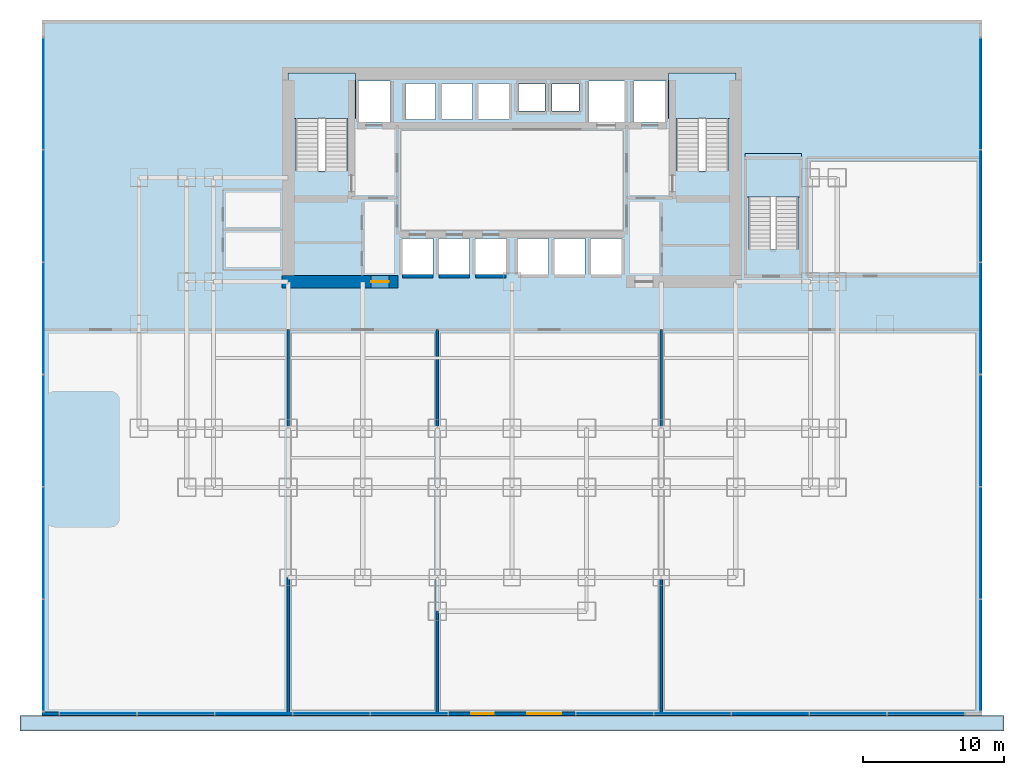
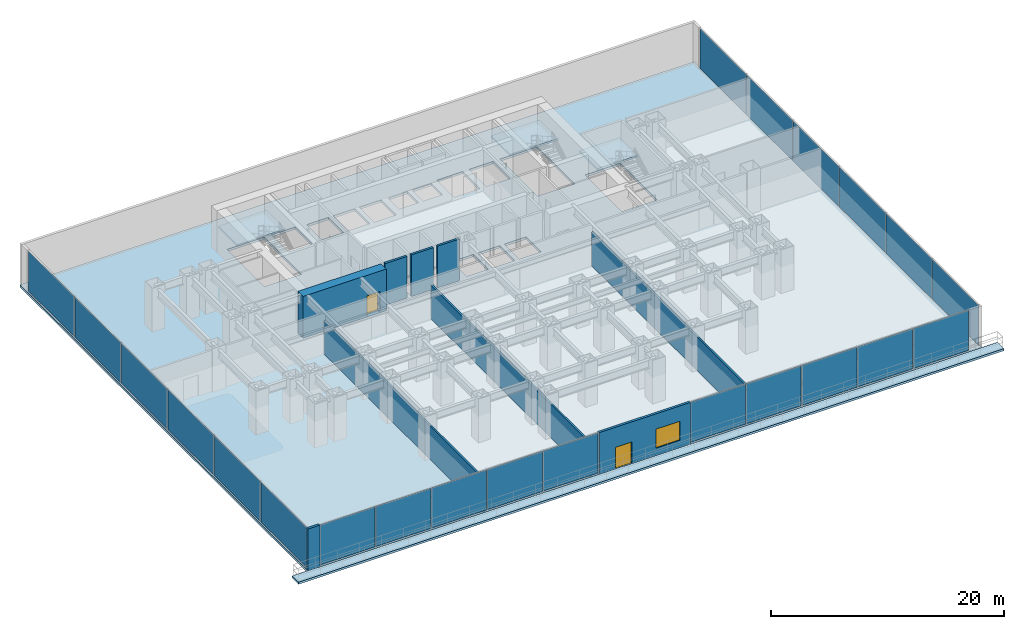
# One storey, part 8 of 13: 22 plates, 9 walls, 5 slabs, 2 doors, 1 window, 3 openings, 7 elements without a shape of their own.
"""IFC4 building model written with IfcOpenShell, lengths in metres."""

import ifcopenshell
import ifcopenshell.guid

model = None  # the IFC model being written
_history = None  # IfcOwnerHistory: only IFC2X3 demands one
_inside = {}  # id of a spatial element -> (the spatial element, [elements in it])
_under = {}  # id of a project, library or spatial element -> (it, [spatial elements below it])
_declared = {}  # id of a project -> (the project, [libraries it declares])
_typed = {}  # id of a type object -> (the type object, [elements of that type])
_made_of = {}  # id of a material, layer set ... -> (it, [elements and type objects made of it])


def new_model(schema):
    """Start an empty IFC model of exactly this schema.

    Asked for "IFC4X3", IfcOpenShell would pick the latest addendum, in which some entities
    have other attributes; the version numbers below select the first issue.
    IFC2X3 requires an IfcOwnerHistory on every rooted entity: one is made here for all.
    """
    global model, _history
    if schema == "IFC4X3":
        model = ifcopenshell.file(schema_version=(4, 3, 0, 0))
    else:
        model = ifcopenshell.file(schema=schema)
    _inside.clear()
    _under.clear()
    _declared.clear()
    _typed.clear()
    _made_of.clear()
    _history = None
    if model.schema == "IFC2X3":
        org = make("IfcOrganization", Name="unknown")
        user = make(
            "IfcPersonAndOrganization",
            ThePerson=make("IfcPerson", FamilyName="unknown"),
            TheOrganization=org,
        )
        app = make(
            "IfcApplication",
            ApplicationDeveloper=org,
            Version="unknown",
            ApplicationFullName="unknown",
            ApplicationIdentifier="unknown",
        )
        _history = make(
            "IfcOwnerHistory",
            OwningUser=user,
            OwningApplication=app,
            ChangeAction="ADDED",
            CreationDate=0,
        )
    return model


def make(cls, **values):
    """One entity of the class cls with the attributes given. An attribute that is None is left unset."""
    return model.create_entity(
        cls, **{name: value for name, value in values.items() if value is not None}
    )


def rooted(cls, **values):
    """An entity with a GlobalId (a new one), such as an element, a storey or a relation."""
    return make(cls, GlobalId=ifcopenshell.guid.new(), OwnerHistory=_history, **values)


def si_unit(unit_type, name, prefix=None):
    """IfcSIUnit, for example si_unit("LENGTHUNIT", "METRE", prefix="MILLI")."""
    return make("IfcSIUnit", UnitType=unit_type, Prefix=prefix, Name=name)


def assignment(units):
    """IfcUnitAssignment: the units of a project."""
    return None if units is None else make("IfcUnitAssignment", Units=units)


def point(xyz):
    """IfcCartesianPoint."""
    return None if xyz is None else make("IfcCartesianPoint", Coordinates=xyz)


def direction(xyz):
    """IfcDirection."""
    return None if xyz is None else make("IfcDirection", DirectionRatios=xyz)


def frame(location, z_axis=None, x_axis=None):
    """IfcAxis2Placement3D, a coordinate frame: its origin and axes. An axis left out is left unset."""
    return make(
        "IfcAxis2Placement3D",
        Location=point(location),
        Axis=direction(z_axis),
        RefDirection=direction(x_axis),
    )


def frame_2d(location, x_axis=None):
    """IfcAxis2Placement2D, a coordinate frame in the plane: its origin and x axis."""
    return make(
        "IfcAxis2Placement2D", Location=point(location), RefDirection=direction(x_axis)
    )


def origin():
    """The frame at (0, 0, 0) with its axes left unset."""
    return frame((0.0, 0.0, 0.0))


def origin_2d():
    """The frame at (0, 0) in the plane with its x axis left unset."""
    return frame_2d((0.0, 0.0))


def place(relative_to, where):
    """IfcLocalPlacement: puts the frame where relative to a parent placement (None: the world)."""
    return make(
        "IfcLocalPlacement", PlacementRelTo=relative_to, RelativePlacement=where
    )


def context(
    kind, dimensions, precision=None, world=None, true_north=None, identifier=None
):
    """IfcGeometricRepresentationContext, for example the 3D "Model" context."""
    return make(
        "IfcGeometricRepresentationContext",
        ContextIdentifier=identifier,
        ContextType=kind,
        CoordinateSpaceDimension=dimensions,
        Precision=precision,
        WorldCoordinateSystem=world,
        TrueNorth=true_north,
    )


def subcontext(parent, identifier, kind, view, scale=None):
    """IfcGeometricRepresentationSubContext, for example "Body" below "Model"."""
    return make(
        "IfcGeometricRepresentationSubContext",
        ContextIdentifier=identifier,
        ContextType=kind,
        ParentContext=parent,
        TargetScale=scale,
        TargetView=view,
    )


def project(units=None, contexts=None):
    """IfcProject with its units and contexts."""
    return rooted(
        "IfcProject",
        Name="project",
        RepresentationContexts=contexts,
        UnitsInContext=assignment(units),
    )


def spatial(cls, under=None, at=None, **own):
    """A site, building, storey or space (cls), placed at a placement, below another one or the project."""
    s = rooted(cls, ObjectPlacement=at, **own)
    if under is not None:
        _under.setdefault(under.id(), (under, []))[1].append(s)
    return s


def polyline(points):
    """IfcPolyline through the points."""
    return make("IfcPolyline", Points=[point(p) for p in points])


def profile(cls, at=None, kind="AREA", **sizes):
    """A parametric profile (cls). Its sizes go by their IFC names, for example OverallWidth=200.0."""
    return make(cls, ProfileType=kind, Position=at, **sizes)


def rectangle(**sizes):
    """IfcRectangleProfileDef."""
    return profile("IfcRectangleProfileDef", **sizes)


def outline(outer, holes=None, kind="AREA"):
    """IfcArbitraryClosedProfileDef: a profile drawn as a closed curve; with holes, ...WithVoids."""
    if holes is None:
        return make("IfcArbitraryClosedProfileDef", ProfileType=kind, OuterCurve=outer)
    return make(
        "IfcArbitraryProfileDefWithVoids",
        ProfileType=kind,
        OuterCurve=outer,
        InnerCurves=holes,
    )


def extrude(swept, where, along, depth):
    """IfcExtrudedAreaSolid: the profile swept, set in the frame where, extruded along a direction by depth."""
    return make(
        "IfcExtrudedAreaSolid",
        SweptArea=swept,
        Position=where,
        ExtrudedDirection=direction(along),
        Depth=depth,
    )


def shape(context_of_items, identifier, shape_type, items):
    """IfcShapeRepresentation: the items that make up one representation, for example the "Body"."""
    return make(
        "IfcShapeRepresentation",
        ContextOfItems=context_of_items,
        RepresentationIdentifier=identifier,
        RepresentationType=shape_type,
        Items=items,
    )


def source(mapping_origin, context_of_items, identifier, shape_type, items):
    """IfcRepresentationMap: a shape defined once, which mapped items show again and again."""
    return make(
        "IfcRepresentationMap",
        MappingOrigin=mapping_origin,
        MappedRepresentation=shape(context_of_items, identifier, shape_type, items),
    )


def transform(
    local_origin,
    x_axis=None,
    y_axis=None,
    z_axis=None,
    scale=None,
    scale2=None,
    scale3=None,
    uniform=True,
):
    """IfcCartesianTransformationOperator3D, or its non-uniform kind. x_axis, y_axis, z_axis: its Axis1, 2, 3."""
    if uniform:
        return make(
            "IfcCartesianTransformationOperator3D",
            Axis1=direction(x_axis),
            Axis2=direction(y_axis),
            LocalOrigin=point(local_origin),
            Scale=scale,
            Axis3=direction(z_axis),
        )
    return make(
        "IfcCartesianTransformationOperator3DnonUniform",
        Axis1=direction(x_axis),
        Axis2=direction(y_axis),
        LocalOrigin=point(local_origin),
        Scale=scale,
        Axis3=direction(z_axis),
        Scale2=scale2,
        Scale3=scale3,
    )


def mapped(mapping_source, mapping_target):
    """IfcMappedItem: shows the shape of a source again, moved by a transform."""
    return make(
        "IfcMappedItem", MappingSource=mapping_source, MappingTarget=mapping_target
    )


def material(Name=None, Category=None):
    """IfcMaterial."""
    return make("IfcMaterial", Name=Name, Category=Category)


def layer(
    of_material, thickness, ventilated=None, Name=None, Category=None, Priority=None
):
    """IfcMaterialLayer: one layer of a wall or slab, of a material (None: an air gap)."""
    return make(
        "IfcMaterialLayer",
        Material=of_material,
        LayerThickness=thickness,
        IsVentilated=ventilated,
        Name=Name,
        Category=Category,
        Priority=Priority,
    )


def layer_set(layers, Name=None):
    """IfcMaterialLayerSet."""
    return make("IfcMaterialLayerSet", MaterialLayers=layers, LayerSetName=Name)


def made_of(thing, what):
    """Note that an element or type object is made of a material, layer set ...; save() writes the relation."""
    if what is not None:
        _made_of.setdefault(what.id(), (what, []))[1].append(thing)
    return thing


def type_object(cls, material=None, **own):
    """A type object (cls), such as IfcWallType, which elements share."""
    return made_of(rooted(cls, **own), material)


def element(
    cls,
    number,
    at=None,
    inside=None,
    cuts=None,
    type_object=None,
    material=None,
    context=None,
    identifier="Body",
    shape_type=None,
    held_by="IfcProductDefinitionShape",
    body=None,
    shapes=None,
    **own,
):
    """One element of the class cls, such as IfcWall. Its Tag is "e" and its number.

    at: its placement. inside: the storey or other place that contains it. cuts: it is an
    opening in that element (IfcRelVoidsElement). A single representation is given by context,
    identifier, shape_type and body (its items); several are given by shapes. held_by: the class
    of the entity that holds the representations. save() writes the other relations.
    """
    e = rooted(cls, Tag="e%d" % number, ObjectPlacement=at, **own)
    if body is not None:
        shapes = [shape(context, identifier, shape_type, body)]
    if shapes is not None:
        e.Representation = make(held_by, Representations=shapes)
    if inside is not None:
        _inside.setdefault(inside.id(), (inside, []))[1].append(e)
    if cuts is not None:
        rooted(
            "IfcRelVoidsElement", RelatingBuildingElement=cuts, RelatedOpeningElement=e
        )
    if type_object is not None:
        _typed.setdefault(type_object.id(), (type_object, []))[1].append(e)
    return made_of(e, material)


def fill(opening, filler):
    """IfcRelFillsElement: the door or window that sits in an opening."""
    return rooted(
        "IfcRelFillsElement",
        RelatingOpeningElement=opening,
        RelatedBuildingElement=filler,
    )


def aggregate(whole, parts):
    """IfcRelAggregates: a whole, such as a stair, and the parts it consists of."""
    return rooted("IfcRelAggregates", RelatingObject=whole, RelatedObjects=parts)


def save(model, path):
    """Write the relations noted so far, then the file.

    IfcRelAggregates (storeys below a building ...), IfcRelContainedInSpatialStructure (elements
    in a storey), IfcRelDefinesByType, IfcRelAssociatesMaterial and IfcRelDeclares: one each for
    every whole, place, type object, material and project.
    """
    for whole, parts in _under.values():
        aggregate(whole, parts)
    for where, things in _inside.values():
        rooted(
            "IfcRelContainedInSpatialStructure",
            RelatedElements=things,
            RelatingStructure=where,
        )
    for kind, things in _typed.values():
        rooted("IfcRelDefinesByType", RelatedObjects=things, RelatingType=kind)
    for what, things in _made_of.values():
        rooted("IfcRelAssociatesMaterial", RelatedObjects=things, RelatingMaterial=what)
    for by, libraries in _declared.values():
        rooted("IfcRelDeclares", RelatingContext=by, RelatedDefinitions=libraries)
    model.write(path)


model = new_model("IFC4")

# Units and contexts
model_context = context("Model", 3, precision=1e-05, world=origin(), true_north=direction((0.0, 1.0)))
body_context = subcontext(model_context, "Body", "Model", "MODEL_VIEW")
ifc_project = project(units=[si_unit("LENGTHUNIT", "METRE"), si_unit("AREAUNIT", "SQUARE_METRE"), si_unit("VOLUMEUNIT", "CUBIC_METRE"), si_unit("PLANEANGLEUNIT", "RADIAN"), si_unit("MASSUNIT", "GRAM", prefix="KILO")], contexts=[model_context])

# Site, building, storey
site_placement = place(None, origin())
site = spatial("IfcSite", under=ifc_project, at=site_placement, CompositionType="ELEMENT")
building_placement = place(site_placement, origin())
building = spatial("IfcBuilding", under=site, at=building_placement, Name="Qianlan Lanfeng Residences", CompositionType="ELEMENT")
storey_placement = place(building_placement, frame((0.0, 0.0, 9.800048828125)))
storey = spatial("IfcBuildingStorey", under=building, at=storey_placement, Name="L02", CompositionType="ELEMENT", Elevation=9.800048828125)

# Slab
ifc_material_1 = material(Name="Concrete C49", Category="concrete")
ifc_layer_1 = layer(ifc_material_1, 0.25)
ifc_layer_set_1 = layer_set([ifc_layer_1], Name="Concrete C49")
slab_type_1 = type_object("IfcSlabType", Name="S-FL-250", PredefinedType="FLOOR", material=ifc_layer_set_1)
slab_1_placement = place(storey_placement, frame((0.0, 0.0, -0.25)))
element("IfcSlab", 1, at=slab_1_placement, inside=storey, type_object=slab_type_1, Name="L02 Structural Floor Slab", PredefinedType="FLOOR", context=body_context, shape_type="SweptSolid", body=[
    extrude(outline(polyline([(-6.89990234375, -5.60009765625), (59.89990234375, -5.60009765625), (59.89990234375, 43.800048828125), (-6.89990234375, 43.800048828125), (-6.89990234375, -5.60009765625)]), holes=[polyline([(11.139892578125, 33.080078125), (11.139892578125, 39.5), (14.820068359375, 39.5), (14.820068359375, 33.080078125), (11.139892578125, 33.080078125)]), polyline([(38.179931640625, 33.080078125), (38.179931640625, 39.5), (41.860107421875, 39.5), (41.860107421875, 33.080078125), (38.179931640625, 33.080078125)]), polyline([(43.320068359375, 27.47998046875), (43.320068359375, 33.780029296875), (46.800048828125, 33.780029296875), (46.800048828125, 27.47998046875), (43.320068359375, 27.47998046875)]), polyline([(15.52001953125, 36.52001953125), (15.52001953125, 39.47998046875), (17.8798828125, 39.47998046875), (17.8798828125, 36.52001953125), (15.52001953125, 36.52001953125)]), polyline([(35.1201171875, 36.52001953125), (35.1201171875, 39.47998046875), (37.47998046875, 39.47998046875), (37.47998046875, 36.52001953125), (35.1201171875, 36.52001953125)]), polyline([(31.919921875, 36.52001953125), (31.919921875, 39.47998046875), (34.47998046875, 39.47998046875), (34.47998046875, 36.52001953125), (31.919921875, 36.52001953125)]), polyline([(18.719970703125, 25.719970703125), (18.719970703125, 28.280029296875), (20.8798828125, 28.280029296875), (20.8798828125, 25.719970703125), (18.719970703125, 25.719970703125)]), polyline([(21.320068359375, 25.719970703125), (21.320068359375, 28.280029296875), (23.47998046875, 28.280029296875), (23.47998046875, 25.719970703125), (21.320068359375, 25.719970703125)]), polyline([(23.919921875, 25.719970703125), (23.919921875, 28.280029296875), (26.080078125, 28.280029296875), (26.080078125, 25.719970703125), (23.919921875, 25.719970703125)]), polyline([(26.919921875, 25.719970703125), (26.919921875, 28.280029296875), (29.080078125, 28.280029296875), (29.080078125, 25.719970703125), (26.919921875, 25.719970703125)]), polyline([(29.52001953125, 25.719970703125), (29.52001953125, 28.280029296875), (31.679931640625, 28.280029296875), (31.679931640625, 25.719970703125), (29.52001953125, 25.719970703125)]), polyline([(32.1201171875, 25.719970703125), (32.1201171875, 28.280029296875), (34.280029296875, 28.280029296875), (34.280029296875, 25.719970703125), (32.1201171875, 25.719970703125)]), polyline([(18.919921875, 36.719970703125), (18.919921875, 39.280029296875), (21.080078125, 39.280029296875), (21.080078125, 36.719970703125), (18.919921875, 36.719970703125)]), polyline([(21.52001953125, 36.719970703125), (21.52001953125, 39.280029296875), (23.679931640625, 39.280029296875), (23.679931640625, 36.719970703125), (21.52001953125, 36.719970703125)]), polyline([(24.1201171875, 36.719970703125), (24.1201171875, 39.280029296875), (26.280029296875, 39.280029296875), (26.280029296875, 36.719970703125), (24.1201171875, 36.719970703125)]), polyline([(26.949951171875, 37.35009765625), (26.949951171875, 39.25), (28.85009765625, 39.25), (28.85009765625, 37.35009765625), (26.949951171875, 37.35009765625)]), polyline([(29.35009765625, 37.35009765625), (29.35009765625, 39.25), (31.25, 39.25), (31.25, 37.35009765625), (29.35009765625, 37.35009765625)])]), origin(), (0.0, 0.0, 1.0), 0.25),
])

# Stair, slab
ifc_material_2 = material(Name="Concrete C42", Category="concrete")
stair_type_1 = type_object("IfcStairType", Name="STR-MAIN", PredefinedType="HALF_TURN_STAIR", material=ifc_material_2)
stair_1_placement = place(storey_placement, origin())
stair_1 = element("IfcStair", 2, at=stair_1_placement, inside=storey, type_object=stair_type_1, Name="L02 Exit Stair ST-1", PredefinedType="HALF_TURN_STAIR")
ifc_layer_2 = layer(ifc_material_2, 0.179931640625)
ifc_layer_set_2 = layer_set([ifc_layer_2], Name="Concrete C42")
slab_type_2 = type_object("IfcSlabType", Name="S-LND-180", PredefinedType="LANDING", material=ifc_layer_set_2)
slab_2_placement = place(storey_placement, frame((0.0, 0.0, 2.099853515625)))
slab_2 = element("IfcSlab", 3, at=slab_2_placement, type_object=slab_type_2, Name="ST-1 landing 1", PredefinedType="LANDING", context=body_context, shape_type="SweptSolid", body=[
    extrude(outline(polyline([(10.580078125, 36.820068359375), (15.3798828125, 36.820068359375), (15.3798828125, 40.050048828125), (10.580078125, 40.050048828125), (10.580078125, 36.820068359375)])), origin(), (0.0, 0.0, 1.0), 0.2001953125),
])
aggregate(stair_1, [slab_2])

stair_2_placement = place(storey_placement, origin())
stair_2 = element("IfcStair", 4, at=stair_2_placement, inside=storey, type_object=stair_type_1, Name="L02 Exit Stair ST-2", PredefinedType="HALF_TURN_STAIR")
slab_3_placement = place(storey_placement, frame((0.0, 0.0, 2.099853515625)))
slab_3 = element("IfcSlab", 5, at=slab_3_placement, type_object=slab_type_2, Name="ST-2 landing 1", PredefinedType="LANDING", context=body_context, shape_type="SweptSolid", body=[
    extrude(outline(polyline([(37.6201171875, 36.820068359375), (42.419921875, 36.820068359375), (42.419921875, 40.050048828125), (37.6201171875, 40.050048828125), (37.6201171875, 36.820068359375)])), origin(), (0.0, 0.0, 1.0), 0.2001953125),
])
aggregate(stair_2, [slab_3])

stair_type_2 = type_object("IfcStairType", Name="STR-POD", PredefinedType="HALF_TURN_STAIR", material=ifc_material_2)
stair_3_placement = place(storey_placement, origin())
stair_3 = element("IfcStair", 6, at=stair_3_placement, inside=storey, type_object=stair_type_2, Name="L02 Exit Stair ST-P1", PredefinedType="HALF_TURN_STAIR")
slab_4_placement = place(storey_placement, frame((0.0, 0.0, 2.099853515625)))
slab_4 = element("IfcSlab", 7, at=slab_4_placement, type_object=slab_type_2, Name="ST-P1 landing 1", PredefinedType="LANDING", context=body_context, shape_type="SweptSolid", body=[
    extrude(outline(polyline([(43.06005859375, 31.219970703125), (47.06005859375, 31.219970703125), (47.06005859375, 34.330078125), (43.06005859375, 34.330078125), (43.06005859375, 31.219970703125)])), origin(), (0.0, 0.0, 1.0), 0.2001953125),
])
aggregate(stair_3, [slab_4])

# Slab
ifc_layer_3 = layer(ifc_material_2, 0.219970703125)
ifc_layer_set_3 = layer_set([ifc_layer_3], Name="Concrete C42")
slab_type_3 = type_object("IfcSlabType", Name="S-TER-220", PredefinedType="FLOOR", material=ifc_layer_set_3)
slab_5_placement = place(storey_placement, frame((0.0, 0.0, -0.219970703125)))
element("IfcSlab", 8, at=slab_5_placement, inside=storey, type_object=slab_type_3, Name="L02 Planted Podium Terrace Slab", PredefinedType="FLOOR", context=body_context, shape_type="SweptSolid", body=[
    extrude(outline(polyline([(59.89990234375, -5.60009765625), (-6.89990234375, -5.60009765625), (-8.449951171875, -5.60009765625), (-8.449951171875, -6.699951171875), (61.449951171875, -6.699951171875), (61.449951171875, -5.60009765625), (59.89990234375, -5.60009765625)])), origin(), (0.0, 0.0, 1.0), 0.219970703125),
])

# Curtain wall, plates
ifc_material_3 = material(Name="Anodised Bronze Aluminium 6063-T6", Category="aluminium")
ifc_layer_4 = layer(ifc_material_3, 0.219970703125)
ifc_layer_set_4 = layer_set([ifc_layer_4], Name="Anodised Bronze Aluminium 6063-T6")
curtain_wall_type = type_object("IfcCurtainWallType", Name="CW-01", PredefinedType="NOTDEFINED", material=ifc_layer_set_4)
curtain_wall_1_placement = place(storey_placement, origin())
curtain_wall_1 = element("IfcCurtainWall", 9, at=curtain_wall_1_placement, inside=storey, type_object=curtain_wall_type, Name="L02 Unitised Curtain Wall CWR-L02-SW (CW-01)", PredefinedType="NOTDEFINED")
ifc_material_4 = material(Name="Clear Low-E Insulated Glass", Category="glass")
ifc_layer_5 = layer(ifc_material_4, 0.035888671875)
ifc_layer_set_5 = layer_set([ifc_layer_5], Name="Clear Low-E Insulated Glass")
plate_type_1 = type_object("IfcPlateType", Name="PNL-GLZ-CLR", PredefinedType="CURTAIN_PANEL", material=ifc_layer_set_5)
shared_shape_1 = source(origin(), body_context, "Body", "SweptSolid", [
    extrude(rectangle(XDim=5.446044921875, YDim=0.035888671875, at=origin_2d()), origin(), (0.0, 0.0, 1.0), 4.19189453125),
])
plate_1_placement = place(storey_placement, frame((-2.89794921875, -5.47998046875, 0.0791015625), z_axis=(0.0, 0.0, 1.0), x_axis=(1.0, 0.0, 0.0)))
plate_1 = element("IfcPlate", 10, at=plate_1_placement, type_object=plate_type_1, Name="CWR-L02-SW Curtain Panel 1", PredefinedType="CURTAIN_PANEL", context=body_context, shape_type="MappedRepresentation", body=[
    mapped(shared_shape_1, transform((0.0, 0.0, 0.0), scale=1.0)),
])
plate_2_placement = place(storey_placement, frame((2.6259765625, -5.47998046875, 0.0791015625), z_axis=(0.0, 0.0, 1.0), x_axis=(1.0, 0.0, 0.0)))
plate_2 = element("IfcPlate", 11, at=plate_2_placement, type_object=plate_type_1, Name="CWR-L02-SW Curtain Panel 2", PredefinedType="CURTAIN_PANEL", context=body_context, shape_type="MappedRepresentation", body=[
    mapped(shared_shape_1, transform((0.0, 0.0, 0.0), scale=1.0)),
])
plate_3_placement = place(storey_placement, frame((13.674072265625, -5.47998046875, 0.0791015625), z_axis=(0.0, 0.0, 1.0), x_axis=(1.0, 0.0, 0.0)))
plate_3 = element("IfcPlate", 12, at=plate_3_placement, type_object=plate_type_1, Name="CWR-L02-SW Curtain Panel 4", PredefinedType="CURTAIN_PANEL", context=body_context, shape_type="MappedRepresentation", body=[
    mapped(shared_shape_1, transform((0.0, 0.0, 0.0), scale=1.0)),
])
plate_4_placement = place(storey_placement, frame((19.197998046875, -5.47998046875, 0.0791015625), z_axis=(0.0, 0.0, 1.0), x_axis=(1.0, 0.0, 0.0)))
plate_4 = element("IfcPlate", 13, at=plate_4_placement, type_object=plate_type_1, Name="CWR-L02-SW Curtain Panel 5", PredefinedType="CURTAIN_PANEL", context=body_context, shape_type="MappedRepresentation", body=[
    mapped(shared_shape_1, transform((0.0, 0.0, 0.0), scale=1.0)),
])

curtain_wall_2_placement = place(storey_placement, origin())
curtain_wall_2 = element("IfcCurtainWall", 14, at=curtain_wall_2_placement, inside=storey, type_object=curtain_wall_type, Name="L02 Unitised Curtain Wall CWR-L02-SE (CW-01)", PredefinedType="NOTDEFINED")
plate_5_placement = place(storey_placement, frame((33.802001953125, -5.47998046875, 0.0791015625), z_axis=(0.0, 0.0, 1.0), x_axis=(1.0, 0.0, 0.0)))
plate_5 = element("IfcPlate", 15, at=plate_5_placement, type_object=plate_type_1, Name="CWR-L02-SE Curtain Panel 1", PredefinedType="CURTAIN_PANEL", context=body_context, shape_type="MappedRepresentation", body=[
    mapped(shared_shape_1, transform((0.0, 0.0, 0.0), scale=1.0)),
])
plate_6_placement = place(storey_placement, frame((39.325927734375, -5.47998046875, 0.0791015625), z_axis=(0.0, 0.0, 1.0), x_axis=(1.0, 0.0, 0.0)))
plate_6 = element("IfcPlate", 16, at=plate_6_placement, type_object=plate_type_1, Name="CWR-L02-SE Curtain Panel 2", PredefinedType="CURTAIN_PANEL", context=body_context, shape_type="MappedRepresentation", body=[
    mapped(shared_shape_1, transform((0.0, 0.0, 0.0), scale=1.0)),
])
plate_7_placement = place(storey_placement, frame((50.3740234375, -5.47998046875, 0.0791015625), z_axis=(0.0, 0.0, 1.0), x_axis=(1.0, 0.0, 0.0)))
plate_7 = element("IfcPlate", 17, at=plate_7_placement, type_object=plate_type_1, Name="CWR-L02-SE Curtain Panel 4", PredefinedType="CURTAIN_PANEL", context=body_context, shape_type="MappedRepresentation", body=[
    mapped(shared_shape_1, transform((0.0, 0.0, 0.0), scale=1.0)),
])
plate_8_placement = place(storey_placement, frame((55.89794921875, -5.47998046875, 0.0791015625), z_axis=(0.0, 0.0, 1.0), x_axis=(1.0, 0.0, 0.0)))
plate_8 = element("IfcPlate", 18, at=plate_8_placement, type_object=plate_type_1, Name="CWR-L02-SE Curtain Panel 5", PredefinedType="CURTAIN_PANEL", context=body_context, shape_type="MappedRepresentation", body=[
    mapped(shared_shape_1, transform((0.0, 0.0, 0.0), scale=1.0)),
])

# Plate
ifc_material_5 = material(Name="Perforated Anodised Bronze Aluminium Panel", Category="aluminium")
ifc_layer_6 = layer(ifc_material_5, 0.0419921875)
ifc_layer_set_6 = layer_set([ifc_layer_6], Name="Perforated Anodised Bronze Aluminium Panel")
plate_type_2 = type_object("IfcPlateType", Name="PNL-PRF-BRZ", PredefinedType="CURTAIN_PANEL", material=ifc_layer_set_6)
shared_shape_2 = source(origin(), body_context, "Body", "SweptSolid", [
    extrude(rectangle(XDim=5.446044921875, YDim=0.0419921875, at=origin_2d()), origin(), (0.0, 0.0, 1.0), 4.19189453125),
])
plate_9_placement = place(storey_placement, frame((8.14990234375, -5.47998046875, 0.0791015625), z_axis=(0.0, 0.0, 1.0), x_axis=(1.0, 0.0, 0.0)))
plate_9 = element("IfcPlate", 19, at=plate_9_placement, type_object=plate_type_2, Name="CWR-L02-SW Curtain Panel 3", PredefinedType="CURTAIN_PANEL", context=body_context, shape_type="MappedRepresentation", body=[
    mapped(shared_shape_2, transform((0.0, 0.0, 0.0), scale=1.0)),
])

aggregate(curtain_wall_1, [plate_1, plate_2, plate_9, plate_3, plate_4])

ifc_material_6 = material(Name="Perforated Champagne Gold Aluminium Panel", Category="aluminium")
ifc_layer_7 = layer(ifc_material_6, 0.0400390625)
ifc_layer_set_7 = layer_set([ifc_layer_7], Name="Perforated Champagne Gold Aluminium Panel")
plate_type_3 = type_object("IfcPlateType", Name="PNL-PRF-GLD", PredefinedType="CURTAIN_PANEL", material=ifc_layer_set_7)
shared_shape_3 = source(origin(), body_context, "Body", "SweptSolid", [
    extrude(rectangle(XDim=5.446044921875, YDim=0.0400390625, at=origin_2d()), origin(), (0.0, 0.0, 1.0), 4.19189453125),
])
plate_10_placement = place(storey_placement, frame((44.85009765625, -5.47998046875, 0.0791015625), z_axis=(0.0, 0.0, 1.0), x_axis=(1.0, 0.0, 0.0)))
plate_10 = element("IfcPlate", 20, at=plate_10_placement, type_object=plate_type_3, Name="CWR-L02-SE Curtain Panel 3", PredefinedType="CURTAIN_PANEL", context=body_context, shape_type="MappedRepresentation", body=[
    mapped(shared_shape_3, transform((0.0, 0.0, 0.0), scale=1.0)),
])

aggregate(curtain_wall_2, [plate_5, plate_6, plate_10, plate_7, plate_8])

# Curtain wall, plates
curtain_wall_3_placement = place(storey_placement, origin())
curtain_wall_3 = element("IfcCurtainWall", 21, at=curtain_wall_3_placement, inside=storey, type_object=curtain_wall_type, Name="L02 Unitised Curtain Wall CWR-L02-E (CW-01)", PredefinedType="NOTDEFINED")
shared_shape_4 = source(origin(), body_context, "Body", "SweptSolid", [
    extrude(rectangle(XDim=7.902099609375, YDim=0.035888671875, at=origin_2d()), origin(), (0.0, 0.0, 1.0), 4.19189453125),
])
plate_11_placement = place(storey_placement, frame((59.780029296875, -1.330078125, 0.0791015625), z_axis=(0.0, 0.0, 1.0), x_axis=(0.0, 1.0, 0.0)))
plate_11 = element("IfcPlate", 22, at=plate_11_placement, type_object=plate_type_1, Name="CWR-L02-E Curtain Panel 1", PredefinedType="CURTAIN_PANEL", context=body_context, shape_type="MappedRepresentation", body=[
    mapped(shared_shape_4, transform((0.0, 0.0, 0.0), scale=1.0)),
])
plate_12_placement = place(storey_placement, frame((59.780029296875, 14.6298828125, 0.0791015625), z_axis=(0.0, 0.0, 1.0), x_axis=(0.0, 1.0, 0.0)))
plate_12 = element("IfcPlate", 23, at=plate_12_placement, type_object=plate_type_1, Name="CWR-L02-E Curtain Panel 3", PredefinedType="CURTAIN_PANEL", context=body_context, shape_type="MappedRepresentation", body=[
    mapped(shared_shape_4, transform((0.0, 0.0, 0.0), scale=1.0)),
])
plate_13_placement = place(storey_placement, frame((59.780029296875, 22.610107421875, 0.0791015625), z_axis=(0.0, 0.0, 1.0), x_axis=(0.0, 1.0, 0.0)))
plate_13 = element("IfcPlate", 24, at=plate_13_placement, type_object=plate_type_1, Name="CWR-L02-E Curtain Panel 4", PredefinedType="CURTAIN_PANEL", context=body_context, shape_type="MappedRepresentation", body=[
    mapped(shared_shape_4, transform((0.0, 0.0, 0.0), scale=1.0)),
])
plate_14_placement = place(storey_placement, frame((59.780029296875, 38.570068359375, 0.0791015625), z_axis=(0.0, 0.0, 1.0), x_axis=(0.0, 1.0, 0.0)))
plate_14 = element("IfcPlate", 25, at=plate_14_placement, type_object=plate_type_1, Name="CWR-L02-E Curtain Panel 6", PredefinedType="CURTAIN_PANEL", context=body_context, shape_type="MappedRepresentation", body=[
    mapped(shared_shape_4, transform((0.0, 0.0, 0.0), scale=1.0)),
])

curtain_wall_4_placement = place(storey_placement, origin())
curtain_wall_4 = element("IfcCurtainWall", 26, at=curtain_wall_4_placement, inside=storey, type_object=curtain_wall_type, Name="L02 Unitised Curtain Wall CWR-L02-W (CW-01)", PredefinedType="NOTDEFINED")
plate_15_placement = place(storey_placement, frame((-6.780029296875, 38.570068359375, 0.0791015625), z_axis=(0.0, 0.0, 1.0), x_axis=(0.0, -1.0, 0.0)))
plate_15 = element("IfcPlate", 27, at=plate_15_placement, type_object=plate_type_1, Name="CWR-L02-W Curtain Panel 1", PredefinedType="CURTAIN_PANEL", context=body_context, shape_type="MappedRepresentation", body=[
    mapped(shared_shape_4, transform((0.0, 0.0, 0.0), scale=1.0)),
])
plate_16_placement = place(storey_placement, frame((-6.780029296875, 22.610107421875, 0.0791015625), z_axis=(0.0, 0.0, 1.0), x_axis=(0.0, -1.0, 0.0)))
plate_16 = element("IfcPlate", 28, at=plate_16_placement, type_object=plate_type_1, Name="CWR-L02-W Curtain Panel 3", PredefinedType="CURTAIN_PANEL", context=body_context, shape_type="MappedRepresentation", body=[
    mapped(shared_shape_4, transform((0.0, 0.0, 0.0), scale=1.0)),
])
plate_17_placement = place(storey_placement, frame((-6.780029296875, 14.6298828125, 0.0791015625), z_axis=(0.0, 0.0, 1.0), x_axis=(0.0, -1.0, 0.0)))
plate_17 = element("IfcPlate", 29, at=plate_17_placement, type_object=plate_type_1, Name="CWR-L02-W Curtain Panel 4", PredefinedType="CURTAIN_PANEL", context=body_context, shape_type="MappedRepresentation", body=[
    mapped(shared_shape_4, transform((0.0, 0.0, 0.0), scale=1.0)),
])
plate_18_placement = place(storey_placement, frame((-6.780029296875, -1.330078125, 0.0791015625), z_axis=(0.0, 0.0, 1.0), x_axis=(0.0, -1.0, 0.0)))
plate_18 = element("IfcPlate", 30, at=plate_18_placement, type_object=plate_type_1, Name="CWR-L02-W Curtain Panel 6", PredefinedType="CURTAIN_PANEL", context=body_context, shape_type="MappedRepresentation", body=[
    mapped(shared_shape_4, transform((0.0, 0.0, 0.0), scale=1.0)),
])

# Plate
shared_shape_5 = source(origin(), body_context, "Body", "SweptSolid", [
    extrude(rectangle(XDim=7.902099609375, YDim=0.0400390625, at=origin_2d()), origin(), (0.0, 0.0, 1.0), 4.19189453125),
])
plate_19_placement = place(storey_placement, frame((59.780029296875, 6.64990234375, 0.0791015625), z_axis=(0.0, 0.0, 1.0), x_axis=(0.0, 1.0, 0.0)))
plate_19 = element("IfcPlate", 31, at=plate_19_placement, type_object=plate_type_3, Name="CWR-L02-E Curtain Panel 2", PredefinedType="CURTAIN_PANEL", context=body_context, shape_type="MappedRepresentation", body=[
    mapped(shared_shape_5, transform((0.0, 0.0, 0.0), scale=1.0)),
])

shared_shape_6 = source(origin(), body_context, "Body", "SweptSolid", [
    extrude(rectangle(XDim=7.902099609375, YDim=0.0419921875, at=origin_2d()), origin(), (0.0, 0.0, 1.0), 4.19189453125),
])
plate_20_placement = place(storey_placement, frame((59.780029296875, 30.590087890625, 0.0791015625), z_axis=(0.0, 0.0, 1.0), x_axis=(0.0, 1.0, 0.0)))
plate_20 = element("IfcPlate", 32, at=plate_20_placement, type_object=plate_type_2, Name="CWR-L02-E Curtain Panel 5", PredefinedType="CURTAIN_PANEL", context=body_context, shape_type="MappedRepresentation", body=[
    mapped(shared_shape_6, transform((0.0, 0.0, 0.0), scale=1.0)),
])

aggregate(curtain_wall_3, [plate_11, plate_19, plate_12, plate_13, plate_20, plate_14])

plate_21_placement = place(storey_placement, frame((-6.780029296875, 30.590087890625, 0.0791015625), z_axis=(0.0, 0.0, 1.0), x_axis=(0.0, -1.0, 0.0)))
plate_21 = element("IfcPlate", 33, at=plate_21_placement, type_object=plate_type_2, Name="CWR-L02-W Curtain Panel 2", PredefinedType="CURTAIN_PANEL", context=body_context, shape_type="MappedRepresentation", body=[
    mapped(shared_shape_6, transform((0.0, 0.0, 0.0), scale=1.0)),
])

plate_22_placement = place(storey_placement, frame((-6.780029296875, 6.64990234375, 0.0791015625), z_axis=(0.0, 0.0, 1.0), x_axis=(0.0, -1.0, 0.0)))
plate_22 = element("IfcPlate", 34, at=plate_22_placement, type_object=plate_type_2, Name="CWR-L02-W Curtain Panel 5", PredefinedType="CURTAIN_PANEL", context=body_context, shape_type="MappedRepresentation", body=[
    mapped(shared_shape_6, transform((0.0, 0.0, 0.0), scale=1.0)),
])

aggregate(curtain_wall_4, [plate_15, plate_21, plate_16, plate_17, plate_22, plate_18])

# Wall, opening, door
ifc_material_7 = material(Name="Concrete C70", Category="concrete")
ifc_layer_8 = layer(ifc_material_7, 0.89990234375)
ifc_layer_set_8 = layer_set([ifc_layer_8], Name="Concrete C70")
wall_type_1 = type_object("IfcWallType", Name="CW-RC-900", PredefinedType="SHEAR", material=ifc_layer_set_8)
wall_1_placement = place(storey_placement, frame((10.14990234375, 25.199951171875, 0.0), z_axis=(0.0, 0.0, 1.0), x_axis=(1.0, 0.0, 0.0)))
wall_1 = element("IfcWall", 35, at=wall_1_placement, inside=storey, type_object=wall_type_1, Name="L02 Core Shear Wall SW", PredefinedType="SHEAR", context=body_context, shape_type="SweptSolid", body=[
    extrude(rectangle(XDim=8.25, YDim=0.89990234375, at=frame_2d((4.125, 0.0))), origin(), (0.0, 0.0, 1.0), 4.349853515625),
])
opening_1_placement = place(wall_1_placement, frame((6.35009765625, 0.0, 0.0)))
opening_1 = element("IfcOpeningElement", 36, at=opening_1_placement, cuts=wall_1, Name="Opening L02-D01", PredefinedType="OPENING", context=body_context, shape_type="SweptSolid", body=[
    extrude(rectangle(XDim=1.25, YDim=2.199951171875, at=frame_2d((0.625, 1.10009765625))), frame((0.0, 0.4599609375, 0.0), z_axis=(0.0, -1.0, 0.0), x_axis=(1.0, 0.0, 0.0)), (0.0, 0.0, 1.0), 0.919921875),
])
ifc_material_8 = material(Name="Painted Galvanised Steel Fire Door", Category="steel")
door_type_1 = type_object("IfcDoorType", Name="DT-FFL", OperationType="NOTDEFINED", PredefinedType="DOOR", material=ifc_material_8)
door_1_placement = place(opening_1_placement, frame((1.25, 0.0, 0.0), z_axis=(0.0, 0.0, 1.0), x_axis=(-1.0, 0.0, 0.0)))
door_1 = element("IfcDoor", 37, at=door_1_placement, inside=storey, type_object=door_type_1, Name="L02 West Core Lobby Smoke Door L02-D01 (DT-FFL)", OperationType="SINGLE_SWING_RIGHT", OverallHeight=2.199951171875, OverallWidth=1.25, PredefinedType="DOOR", context=body_context, shape_type="SweptSolid", body=[
    extrude(rectangle(XDim=1.25, YDim=2.199951171875, at=frame_2d((0.625, 1.10009765625))), frame((0.0, 0.02490234375, 0.0), z_axis=(0.0, -1.0, 0.0), x_axis=(1.0, 0.0, 0.0)), (0.0, 0.0, 1.0), 0.050048828125),
])
fill(opening_1, door_1)

# Wall
ifc_layer_9 = layer(ifc_material_2, 0.239990234375)
ifc_layer_set_9 = layer_set([ifc_layer_9], Name="Concrete C42")
wall_type_2 = type_object("IfcWallType", Name="EW-240", PredefinedType="SOLIDWALL", material=ifc_layer_set_9)
wall_2_placement = place(storey_placement, frame((-6.89990234375, -5.47998046875, 0.0), z_axis=(0.0, 0.0, 1.0), x_axis=(1.0, 0.0, 0.0)))
element("IfcWall", 38, at=wall_2_placement, inside=storey, type_object=wall_type_2, Name="L02 SW Corner Pier", PredefinedType="SOLIDWALL", context=body_context, shape_type="SweptSolid", body=[
    extrude(rectangle(XDim=1.199951171875, YDim=0.239990234375, at=frame_2d((0.60009765625, 0.0))), origin(), (0.0, 0.0, 1.0), 4.349853515625),
])

# Wall, openings, door, window
wall_3_placement = place(storey_placement, frame((22.0, -5.47998046875, 0.0), z_axis=(0.0, 0.0, 1.0), x_axis=(1.0, 0.0, 0.0)))
wall_3 = element("IfcWall", 39, at=wall_3_placement, inside=storey, type_object=wall_type_2, Name="L02 South Terrace Access Exterior Wall", PredefinedType="SOLIDWALL", context=body_context, shape_type="SweptSolid", body=[
    extrude(rectangle(XDim=9.0, YDim=0.239990234375, at=frame_2d((4.5, 0.0))), origin(), (0.0, 0.0, 1.0), 4.349853515625),
])
opening_2_placement = place(wall_3_placement, frame((1.60009765625, 0.0, 0.0)))
opening_2 = element("IfcOpeningElement", 40, at=opening_2_placement, cuts=wall_3, Name="Opening L02-D-TER1", PredefinedType="OPENING", context=body_context, shape_type="SweptSolid", body=[
    extrude(rectangle(XDim=1.60009765625, YDim=2.25, at=frame_2d((0.800048828125, 1.125))), frame((0.0, 0.1298828125, 0.0), z_axis=(0.0, -1.0, 0.0), x_axis=(1.0, 0.0, 0.0)), (0.0, 0.0, 1.0), 0.260009765625),
])
opening_3_placement = place(wall_3_placement, frame((5.60009765625, 0.0, 0.75)))
opening_3 = element("IfcOpeningElement", 41, at=opening_3_placement, cuts=wall_3, Name="Opening W-05", PredefinedType="OPENING", context=body_context, shape_type="SweptSolid", body=[
    extrude(rectangle(XDim=2.39990234375, YDim=2.0, at=frame_2d((1.199951171875, 1.0))), frame((0.0, 0.1298828125, 0.0), z_axis=(0.0, -1.0, 0.0), x_axis=(1.0, 0.0, 0.0)), (0.0, 0.0, 1.0), 0.260009765625),
])
ifc_material_9 = material(Name="Anodised Bronze Aluminium Framed Glass", Category="aluminium")
door_type_2 = type_object("IfcDoorType", Name="DT-TER1", OperationType="NOTDEFINED", PredefinedType="DOOR", material=ifc_material_9)
door_2_placement = place(opening_2_placement, frame((1.60009765625, 0.0, 0.0), z_axis=(0.0, 0.0, 1.0), x_axis=(-1.0, 0.0, 0.0)))
door_2 = element("IfcDoor", 42, at=door_2_placement, inside=storey, type_object=door_type_2, Name="L02 Planted Podium Terrace Door", OperationType="DOUBLE_DOOR_SINGLE_SWING", OverallHeight=2.25, OverallWidth=1.60009765625, PredefinedType="DOOR", context=body_context, shape_type="SweptSolid", body=[
    extrude(rectangle(XDim=1.60009765625, YDim=2.25, at=frame_2d((0.800048828125, 1.125))), frame((0.0, 0.02490234375, 0.0), z_axis=(0.0, -1.0, 0.0), x_axis=(1.0, 0.0, 0.0)), (0.0, 0.0, 1.0), 0.050048828125),
])
fill(opening_2, door_2)
ifc_material_10 = material(Name="Anodised Bronze Aluminium Framed Double Glazing", Category="aluminium")
window_type = type_object("IfcWindowType", Name="W-05", PartitioningType="SINGLE_PANEL", PredefinedType="WINDOW", material=ifc_material_10)
window_placement = place(opening_3_placement, origin())
window = element("IfcWindow", 43, at=window_placement, inside=storey, type_object=window_type, Name="L02 Podium Feature Window", OverallHeight=2.0, OverallWidth=2.39990234375, PartitioningType="SINGLE_PANEL", PredefinedType="WINDOW", context=body_context, shape_type="SweptSolid", body=[
    extrude(rectangle(XDim=2.39990234375, YDim=2.0, at=frame_2d((1.199951171875, 1.0))), frame((0.0, 0.030029296875, 0.0), z_axis=(0.0, -1.0, 0.0), x_axis=(1.0, 0.0, 0.0)), (0.0, 0.0, 1.0), 0.06005859375),
])
fill(opening_3, window)

# Walls
ifc_material_11 = material(Name="Double-Layer Acoustic Gypsum Stud Wall 180 mm")
ifc_layer_10 = layer(ifc_material_11, 0.179931640625)
ifc_layer_set_10 = layer_set([ifc_layer_10], Name="Double-Layer Acoustic Gypsum Stud Wall 180 mm")
wall_type_3 = type_object("IfcWallType", Name="PW-180", PredefinedType="PARTITIONING", material=ifc_layer_set_10)
for number, where, z_axis, x_axis, name in (
    (44, (10.60009765625, -5.47998046875, 0.0), (0.0, 0.0, 1.0), (0.0, 1.0, 0.0), "L02 Podium Partition A1"),
    (45, (21.199951171875, -5.47998046875, 0.0), (0.0, 0.0, 1.0), (0.0, 1.0, 0.0), "L02 Podium Partition A2"),
    (46, (37.10009765625, -5.47998046875, 0.0), (0.0, 0.0, 1.0), (0.0, 1.0, 0.0), "L02 Podium Partition A3"),
):
    element("IfcWall", number, at=place(storey_placement, frame(where, z_axis=z_axis, x_axis=x_axis)), inside=storey, type_object=wall_type_3, Name=name, PredefinedType="PARTITIONING", context=body_context, shape_type="SweptSolid", body=[
        extrude(rectangle(XDim=27.280029296875, YDim=0.179931640625, at=frame_2d((13.64013671875, 0.0))), origin(), (0.0, 0.0, 1.0), 3.494873046875),
    ])
ifc_layer_11 = layer(ifc_material_1, 0.219970703125)
ifc_layer_set_11 = layer_set([ifc_layer_11], Name="Concrete C49")
wall_type_4 = type_object("IfcWallType", Name="SHW-220", PredefinedType="SOLIDWALL", material=ifc_layer_set_11)
for number, where, z_axis, x_axis, name in (
    (47, (18.719970703125, 25.60009765625, 0.0), (0.0, 0.0, 1.0), (1.0, 0.0, 0.0), "L02 Lift PL-L1 Shaft Back Wall S"),
    (48, (21.320068359375, 25.60009765625, 0.0), (0.0, 0.0, 1.0), (1.0, 0.0, 0.0), "L02 Lift PL-L2 Shaft Back Wall S"),
):
    element("IfcWall", number, at=place(storey_placement, frame(where, z_axis=z_axis, x_axis=x_axis)), inside=storey, type_object=wall_type_4, Name=name, PredefinedType="SOLIDWALL", context=body_context, shape_type="SweptSolid", body=[
        extrude(rectangle(XDim=2.159912109375, YDim=0.219970703125, at=frame_2d((1.080078125, 0.0))), origin(), (0.0, 0.0, 1.0), 4.349853515625),
    ])
wall_4_placement = place(storey_placement, frame((23.919921875, 25.60009765625, 0.0), z_axis=(0.0, 0.0, 1.0), x_axis=(1.0, 0.0, 0.0)))
element("IfcWall", 49, at=wall_4_placement, inside=storey, type_object=wall_type_4, Name="L02 Lift PL-L3 Shaft Back Wall S", PredefinedType="SOLIDWALL", context=body_context, shape_type="SweptSolid", body=[
    extrude(rectangle(XDim=2.16015625, YDim=0.219970703125, at=frame_2d((1.080078125, 0.0))), origin(), (0.0, 0.0, 1.0), 4.349853515625),
])

save(model, "model.ifc")
